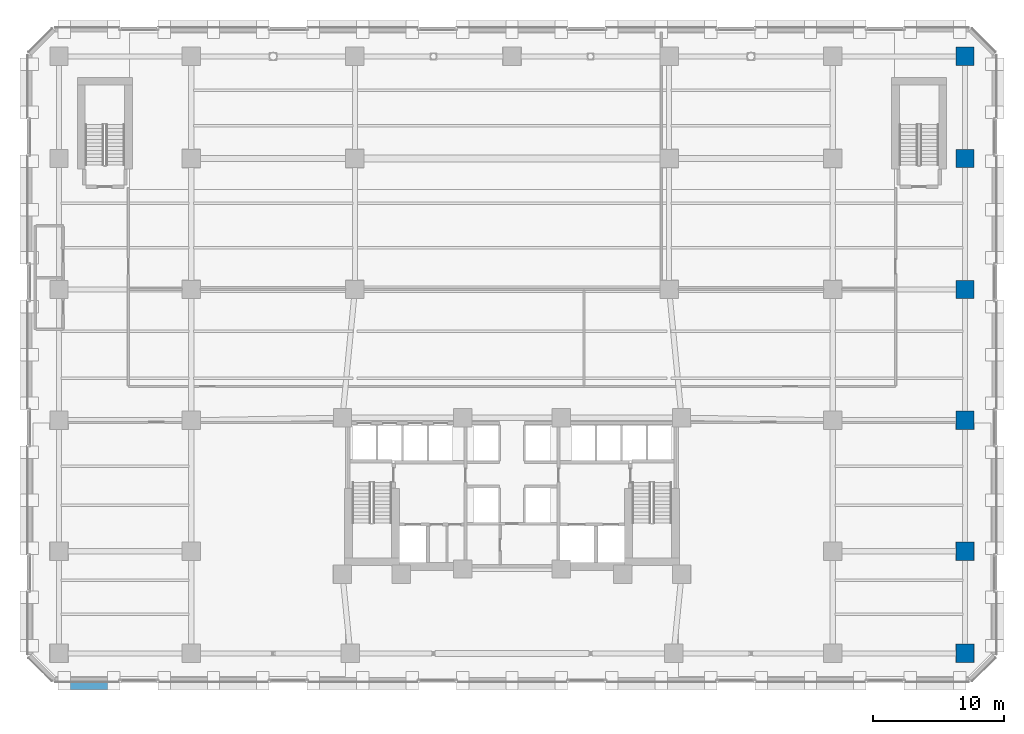
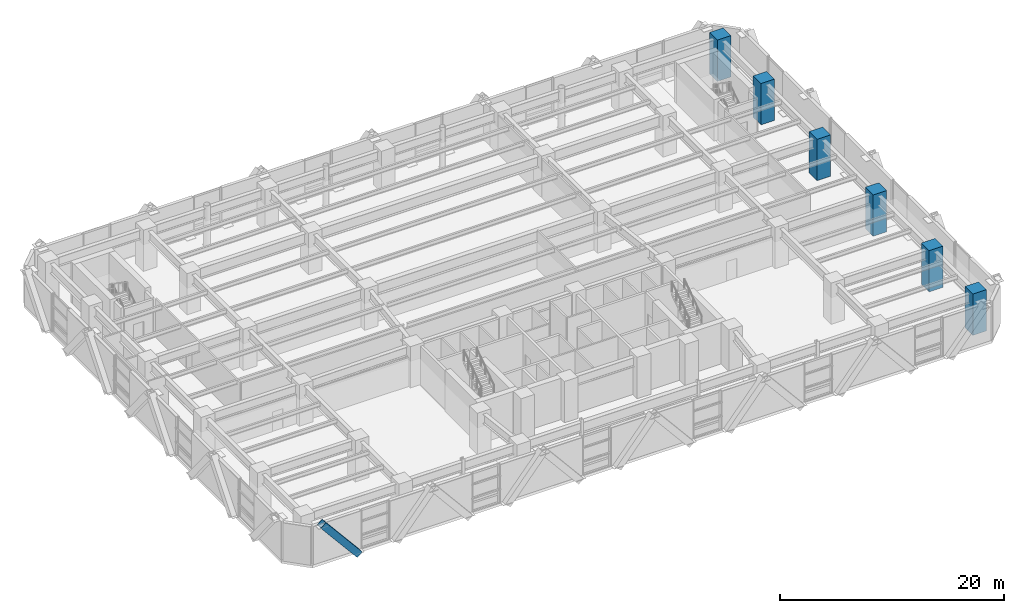
# One storey, part 5 of 26: 6 columns, 1 member.
"""IFC4 building model written with IfcOpenShell, lengths in metres."""

from ifc_helpers import new_model, si_unit, direction, frame, origin, origin_2d, place, context, subcontext, project, spatial, rectangle, hollow_rectangle, extrude, material, material_profile, profile_set, type_object, element, save


model = new_model("IFC4")

# Units and contexts
model_context = context("Model", 3, precision=1e-05, world=origin(), true_north=direction((0.0, 1.0)))
body_context = subcontext(model_context, "Body", "Model", "MODEL_VIEW")
ifc_project = project(units=[si_unit("LENGTHUNIT", "METRE"), si_unit("AREAUNIT", "SQUARE_METRE"), si_unit("VOLUMEUNIT", "CUBIC_METRE"), si_unit("PLANEANGLEUNIT", "RADIAN"), si_unit("MASSUNIT", "GRAM", prefix="KILO")], contexts=[model_context])

# Site, building, storey
site_placement = place(None, origin())
site = spatial("IfcSite", under=ifc_project, at=site_placement, CompositionType="ELEMENT")
building_placement = place(site_placement, origin())
building = spatial("IfcBuilding", under=site, at=building_placement, Name="Quenlor Broadcast Tower", CompositionType="ELEMENT")
storey_placement = place(building_placement, frame((0.0, 0.0, 14.0)))
storey = spatial("IfcBuildingStorey", under=building, at=storey_placement, Name="L03", CompositionType="ELEMENT", Elevation=14.0)

# Columns
ifc_material_1 = material(Name="Concrete C65/80", Category="concrete")
ifc_material_profile_1 = material_profile(ifc_material_1, rectangle(XDim=1.39990234375, YDim=1.39990234375, at=origin_2d()))
ifc_profile_set_1 = profile_set([ifc_material_profile_1], Name="Concrete C65/80 RC1400x1400")
column_type = type_object("IfcColumnType", Name="Podium Mega Column Concrete C65/80 1400", PredefinedType="COLUMN", material=ifc_profile_set_1)
for number, where, z_axis, x_axis, name in (
    (1, (34.60009765625, -22.800048828125, 0.0), (0.0, 0.0, 1.0), (1.0, 0.0, 0.0), "L03 Podium Mega Column PM6"),
    (2, (34.60009765625, -15.0, 0.0), (0.0, 0.0, 1.0), (1.0, 0.0, 0.0), "L03 Podium Mega Column PM10"),
    (3, (34.60009765625, -5.0, 0.0), (0.0, 0.0, 1.0), (1.0, 0.0, 0.0), "L03 Podium Mega Column PM14"),
    (4, (34.60009765625, 5.0, 0.0), (0.0, 0.0, 1.0), (1.0, 0.0, 0.0), "L03 Podium Mega Column PM20"),
    (5, (34.60009765625, 15.0, 0.0), (0.0, 0.0, 1.0), (1.0, 0.0, 0.0), "L03 Podium Mega Column PM26"),
    (6, (34.60009765625, 22.800048828125, 0.0), (0.0, 0.0, 1.0), (1.0, 0.0, 0.0), "L03 Podium Mega Column PM33"),
):
    element("IfcColumn", number, at=place(storey_placement, frame(where, z_axis=z_axis, x_axis=x_axis)), inside=storey, type_object=column_type, Name=name, PredefinedType="COLUMN", context=body_context, shape_type="SweptSolid", body=[
        extrude(rectangle(XDim=1.39990234375, YDim=1.39990234375, at=origin_2d()), origin(), (0.0, 0.0, 1.0), 4.5),
    ])

# Member
ifc_material_2 = material(Name="Steel S355", Category="steel")
ifc_material_profile_2 = material_profile(ifc_material_2, hollow_rectangle(XDim=0.679931640625, YDim=0.679931640625, WallThickness=0.034912109375, at=origin_2d()))
ifc_profile_set_2 = profile_set([ifc_material_profile_2], Name="Steel S355 RHS680x680x35")
member_type = type_object("IfcMemberType", Name="Perimeter Diagonal Lattice Brace Z1 Steel S355 RHS680x35", PredefinedType="BRACE", material=ifc_profile_set_2)
member_placement = place(storey_placement, frame((-30.4228515625, -25.215087890625, -0.1201171875), z_axis=(-0.640626831312, 0.0, 0.767852370578), x_axis=(0.0, -1.0, 0.0)))
element("IfcMember", 7, at=member_placement, inside=storey, type_object=member_type, Name="L03 Podium Diamond Lattice S-P6S", PredefinedType="BRACE", context=body_context, shape_type="SweptSolid", body=[
    extrude(hollow_rectangle(XDim=0.679931640625, YDim=0.679931640625, WallThickness=0.034912109375, at=origin_2d()), origin(), (0.0, 0.0, 1.0), 5.860595703125),
])

save(model, "model.ifc")
